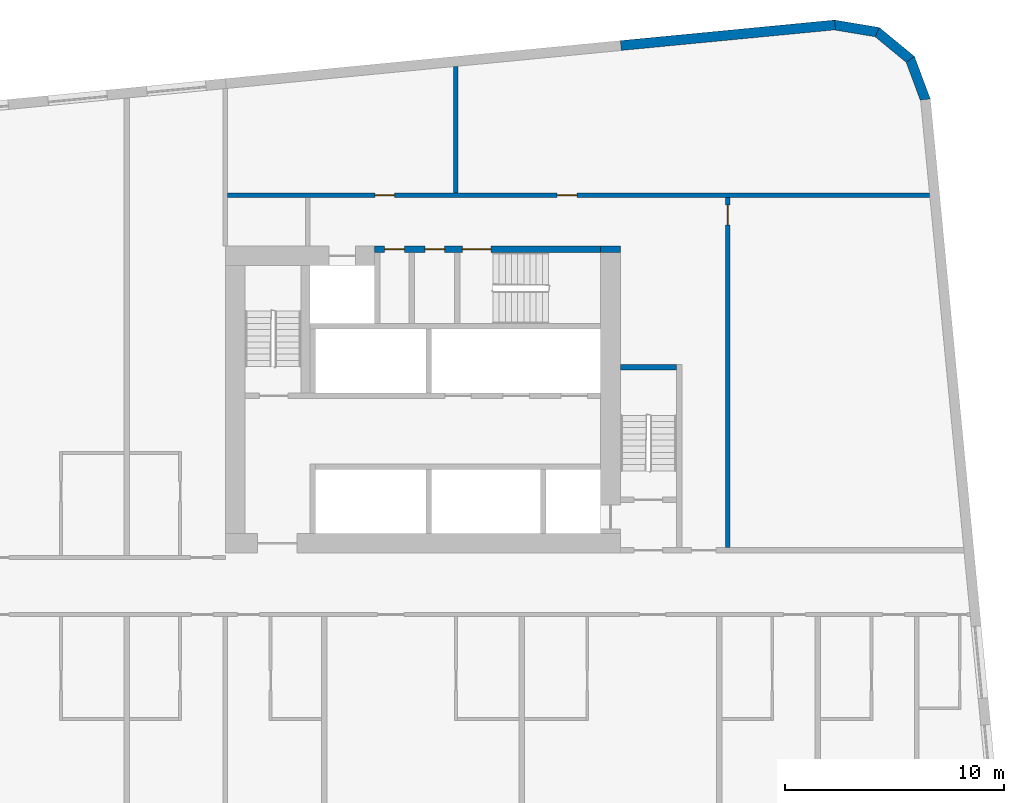
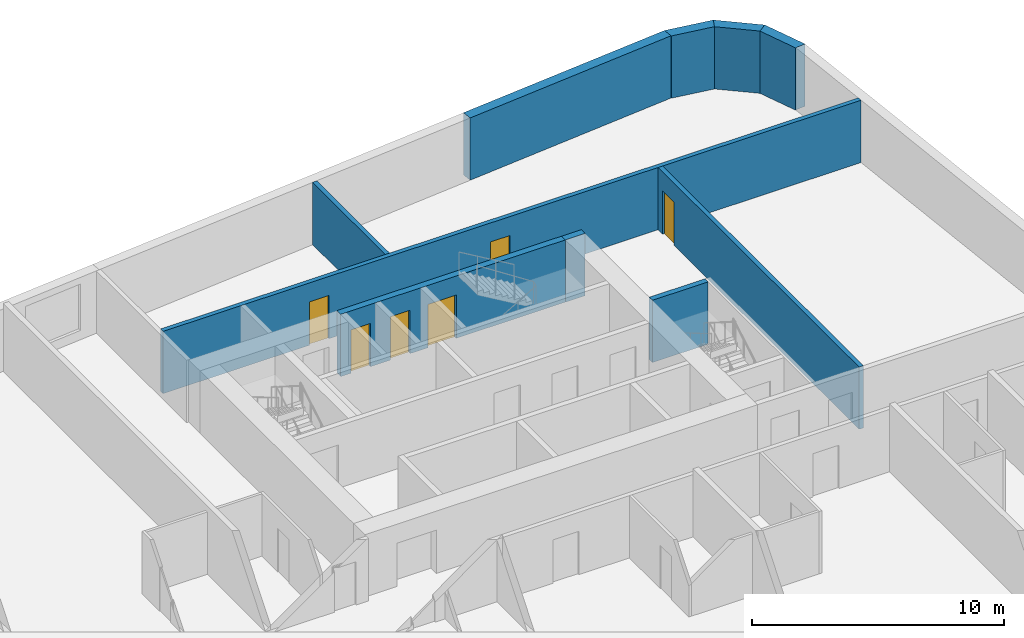
# One storey, part 8 of 12: 10 walls, 6 doors, 6 openings.
"""IFC4 building model written with IfcOpenShell, lengths in metres."""

from ifc_helpers import new_model, si_unit, direction, frame, frame_2d, origin, place, context, subcontext, project, spatial, polyline, rectangle, outline, extrude, material, layer, layer_set, type_object, element, fill, save


model = new_model("IFC4")

# Units and contexts
model_context = context("Model", 3, precision=1e-05, world=origin(), true_north=direction((0.0, 1.0)))
body_context = subcontext(model_context, "Body", "Model", "MODEL_VIEW")
ifc_project = project(units=[si_unit("LENGTHUNIT", "METRE"), si_unit("AREAUNIT", "SQUARE_METRE"), si_unit("VOLUMEUNIT", "CUBIC_METRE"), si_unit("PLANEANGLEUNIT", "RADIAN"), si_unit("MASSUNIT", "GRAM", prefix="KILO")], contexts=[model_context])

# Site, building, storey
site_placement = place(None, origin())
site = spatial("IfcSite", under=ifc_project, at=site_placement, CompositionType="ELEMENT")
building_placement = place(site_placement, origin())
building = spatial("IfcBuilding", under=site, at=building_placement, Name="Kajstack Hotel Tower", CompositionType="ELEMENT")
storey_placement = place(building_placement, frame((0.0, 0.0, 117.39990234375)))
storey = spatial("IfcBuildingStorey", under=building, at=storey_placement, Name="L25", CompositionType="ELEMENT", Elevation=117.39990234375)

# Walls
ifc_material_1 = material(Name="Concrete C60/75", Category="concrete")
ifc_layer_1 = layer(ifc_material_1, 0.89990234375)
ifc_layer_set_1 = layer_set([ifc_layer_1], Name="Core wall 900")
wall_type_1 = type_object("IfcWallType", Name="Core wall 900", PredefinedType="SHEAR", material=ifc_layer_set_1)
wall_1_placement = place(storey_placement, frame((30.60009765625, 15.35009765625, 0.0), z_axis=(0.0, 0.0, 1.0), x_axis=(1.0, 0.0, 0.0)))
element("IfcWall", 1, at=wall_1_placement, inside=storey, type_object=wall_type_1, Name="Core wall E RSW", PredefinedType="SHEAR", context=body_context, shape_type="SweptSolid", body=[
    extrude(rectangle(XDim=0.89990234375, YDim=0.300048828125, at=frame_2d((0.449951171875, 0.0))), origin(), (0.0, 0.0, 1.0), 3.02001953125),
])
ifc_material_2 = material(Name="Terracotta-faced brick masonry", Category="masonry")
ifc_layer_2 = layer(ifc_material_2, 0.449951171875)
ifc_layer_set_2 = layer_set([ifc_layer_2], Name="EW-TERRA")
wall_type_2 = type_object("IfcWallType", Name="EW-TERRA", PredefinedType="SOLIDWALL", material=ifc_layer_set_2)
wall_2_placement = place(storey_placement, frame((45.41162109375, 22.10986328125, 0.0), z_axis=(0.0, 0.0, 1.0), x_axis=(-0.350192909346, 0.936677599948, 0.0)))
element("IfcWall", 2, at=wall_2_placement, inside=storey, type_object=wall_type_2, Name="E-wall-L25-09-00", PredefinedType="SOLIDWALL", context=body_context, shape_type="SweptSolid", body=[
    extrude(outline(polyline([(0.0, -0.22509765625), (2.070556640625, -0.22509765625), (1.949951171875, 0.224853515625), (0.12060546875, 0.224853515625), (0.0, -0.22509765625)])), origin(), (0.0, 0.0, 1.0), 3.02001953125),
])
wall_3_placement = place(storey_placement, frame((44.754150390625, 23.95458984375, 0.0), z_axis=(0.0, 0.0, 1.0), x_axis=(-0.771651049663, 0.636046112757, 0.0)))
element("IfcWall", 3, at=wall_3_placement, inside=storey, type_object=wall_type_2, Name="E-wall-L25-10-00", PredefinedType="SOLIDWALL", context=body_context, shape_type="SweptSolid", body=[
    extrude(outline(polyline([(0.0, -0.22509765625), (2.070556640625, -0.22509765625), (1.949951171875, 0.224853515625), (0.12060546875, 0.22509765625), (0.0, -0.22509765625)])), origin(), (0.0, 0.0, 1.0), 3.02001953125),
])
wall_4_placement = place(storey_placement, frame((43.262451171875, 25.223388671875, 0.0), z_axis=(0.0, 0.0, 1.0), x_axis=(-0.986298144721, 0.164972633245, 0.0)))
element("IfcWall", 4, at=wall_4_placement, inside=storey, type_object=wall_type_2, Name="E-wall-L25-11-00", PredefinedType="SOLIDWALL", context=body_context, shape_type="SweptSolid", body=[
    extrude(outline(polyline([(0.0, -0.224853515625), (2.070556640625, -0.22509765625), (1.949951171875, 0.22509765625), (0.12060546875, 0.22509765625), (0.0, -0.224853515625)])), origin(), (0.0, 0.0, 1.0), 3.02001953125),
])
wall_5_placement = place(storey_placement, frame((41.279052734375, 25.56298828125, 0.0), z_axis=(0.0, 0.0, 1.0), x_axis=(-0.995394735506, -0.095860943703, 0.0)))
element("IfcWall", 5, at=wall_5_placement, inside=storey, type_object=wall_type_2, Name="E-wall-L25-12-00", PredefinedType="SOLIDWALL", context=body_context, shape_type="SweptSolid", body=[
    extrude(rectangle(XDim=9.802734375, YDim=0.449951171875, at=frame_2d((4.9013671875, 0.0))), origin(), (0.0, 0.0, 1.0), 3.02001953125),
])

# Wall, opening, door
ifc_material_3 = material(Name="Gypsum board on steel studs, mineral wool", Category="steel")
ifc_layer_3 = layer(ifc_material_3, 0.199951171875)
ifc_layer_set_3 = layer_set([ifc_layer_3], Name="Service partition 200")
wall_type_3 = type_object("IfcWallType", Name="Service partition 200", PredefinedType="PARTITIONING", material=ifc_layer_set_3)
wall_6_placement = place(storey_placement, frame((36.39990234375, 1.75, 0.0), z_axis=(0.0, 0.0, 1.0), x_axis=(0.0, 1.0, 0.0)))
wall_6 = element("IfcWall", 6, at=wall_6_placement, inside=storey, type_object=wall_type_3, Name="Partition E WRE", PredefinedType="PARTITIONING", context=body_context, shape_type="SweptSolid", body=[
    extrude(rectangle(XDim=15.949951171875, YDim=0.199951171875, at=frame_2d((7.97509765625, 0.0))), origin(), (0.0, 0.0, 1.0), 3.02001953125),
])
opening_1_placement = place(wall_6_placement, frame((14.699951171875, 0.0, 0.0)))
opening_1 = element("IfcOpeningElement", 7, at=opening_1_placement, cuts=wall_6, Name="Opening 25E16", PredefinedType="OPENING", context=body_context, shape_type="SweptSolid", body=[
    extrude(rectangle(XDim=0.89990234375, YDim=2.10009765625, at=frame_2d((0.449951171875, 1.050048828125))), frame((0.0, 0.10986328125, 0.0), z_axis=(0.0, -1.0, 0.0), x_axis=(1.0, 0.0, 0.0)), (0.0, 0.0, 1.0), 0.219970703125),
])
ifc_material_4 = material(Name="Timber leaf, fire-rated", Category="wood")
door_type_1 = type_object("IfcDoorType", Name="Service door 900", OperationType="SINGLE_SWING_LEFT", PredefinedType="DOOR", material=ifc_material_4)
door_1_placement = place(opening_1_placement, origin())
door_1 = element("IfcDoor", 8, at=door_1_placement, inside=storey, type_object=door_type_1, Name="Door 25E16", OperationType="SINGLE_SWING_RIGHT", OverallHeight=2.10009765625, OverallWidth=0.89990234375, PredefinedType="DOOR", context=body_context, shape_type="SweptSolid", body=[
    extrude(rectangle(XDim=0.89990234375, YDim=2.10009765625, at=frame_2d((0.449951171875, 1.050048828125))), frame((0.0, 0.02490234375, 0.0), z_axis=(0.0, -1.0, 0.0), x_axis=(1.0, 0.0, 0.0)), (0.0, 0.0, 1.0), 0.050048828125),
])
fill(opening_1, door_1)

# Wall, openings, doors
wall_7_placement = place(storey_placement, frame((13.60009765625, 17.800048828125, 0.0), z_axis=(0.0, 0.0, 1.0), x_axis=(1.0, 0.0, 0.0)))
wall_7 = element("IfcWall", 9, at=wall_7_placement, inside=storey, type_object=wall_type_3, Name="Partition E SLN", PredefinedType="PARTITIONING", context=body_context, shape_type="SweptSolid", body=[
    extrude(rectangle(XDim=31.992919921875, YDim=0.199951171875, at=frame_2d((15.99658203125, 0.0))), origin(), (0.0, 0.0, 1.0), 3.02001953125),
])
opening_2_placement = place(wall_7_placement, frame((15.012451171875, 0.0, 0.0)))
opening_2 = element("IfcOpeningElement", 10, at=opening_2_placement, cuts=wall_7, Name="Opening 25E14", PredefinedType="OPENING", context=body_context, shape_type="SweptSolid", body=[
    extrude(rectangle(XDim=0.89990234375, YDim=2.10009765625, at=frame_2d((0.449951171875, 1.050048828125))), frame((0.0, 0.10986328125, 0.0), z_axis=(0.0, -1.0, 0.0), x_axis=(1.0, 0.0, 0.0)), (0.0, 0.0, 1.0), 0.219970703125),
])
opening_3_placement = place(wall_7_placement, frame((6.71240234375, 0.0, 0.0)))
opening_3 = element("IfcOpeningElement", 11, at=opening_3_placement, cuts=wall_7, Name="Opening 25E15", PredefinedType="OPENING", context=body_context, shape_type="SweptSolid", body=[
    extrude(rectangle(XDim=0.89990234375, YDim=2.10009765625, at=frame_2d((0.449951171875, 1.050048828125))), frame((0.0, 0.10986328125, 0.0), z_axis=(0.0, -1.0, 0.0), x_axis=(1.0, 0.0, 0.0)), (0.0, 0.0, 1.0), 0.219970703125),
])
door_2_placement = place(opening_2_placement, origin())
door_2 = element("IfcDoor", 12, at=door_2_placement, inside=storey, type_object=door_type_1, Name="Door 25E14", OperationType="SINGLE_SWING_LEFT", OverallHeight=2.10009765625, OverallWidth=0.89990234375, PredefinedType="DOOR", context=body_context, shape_type="SweptSolid", body=[
    extrude(rectangle(XDim=0.89990234375, YDim=2.10009765625, at=frame_2d((0.449951171875, 1.050048828125))), frame((0.0, 0.02490234375, 0.0), z_axis=(0.0, -1.0, 0.0), x_axis=(1.0, 0.0, 0.0)), (0.0, 0.0, 1.0), 0.050048828125),
])
fill(opening_2, door_2)
door_3_placement = place(opening_3_placement, origin())
door_3 = element("IfcDoor", 13, at=door_3_placement, inside=storey, type_object=door_type_1, Name="Door 25E15", OperationType="SINGLE_SWING_LEFT", OverallHeight=2.10009765625, OverallWidth=0.89990234375, PredefinedType="DOOR", context=body_context, shape_type="SweptSolid", body=[
    extrude(rectangle(XDim=0.89990234375, YDim=2.10009765625, at=frame_2d((0.449951171875, 1.050048828125))), frame((0.0, 0.02490234375, 0.0), z_axis=(0.0, -1.0, 0.0), x_axis=(1.0, 0.0, 0.0)), (0.0, 0.0, 1.0), 0.050048828125),
])
fill(opening_3, door_3)

# Wall
wall_8_placement = place(storey_placement, frame((24.0, 17.89990234375, 0.0), z_axis=(0.0, 0.0, 1.0), x_axis=(0.0, 1.0, 0.0)))
element("IfcWall", 14, at=wall_8_placement, inside=storey, type_object=wall_type_3, Name="Partition E SLP0", PredefinedType="PARTITIONING", context=body_context, shape_type="SweptSolid", body=[
    extrude(rectangle(XDim=5.774169921875, YDim=0.199951171875, at=frame_2d((2.88720703125, 0.0))), origin(), (0.0, 0.0, 1.0), 3.02001953125),
])

# Wall, openings, doors
ifc_material_5 = material(Name="Concrete C50/60", Category="concrete")
ifc_layer_4 = layer(ifc_material_5, 0.25)
ifc_layer_set_4 = layer_set([ifc_layer_4], Name="Shaft wall 250")
wall_type_4 = type_object("IfcWallType", Name="Shaft wall 250", PredefinedType="SHEAR", material=ifc_layer_set_4)
wall_9_placement = place(storey_placement, frame((20.300048828125, 15.35009765625, 0.0), z_axis=(0.0, 0.0, 1.0), x_axis=(1.0, 0.0, 0.0)))
wall_9 = element("IfcWall", 15, at=wall_9_placement, inside=storey, type_object=wall_type_4, Name="Core wall E RSS", PredefinedType="SHEAR", context=body_context, shape_type="SweptSolid", body=[
    extrude(rectangle(XDim=10.300048828125, YDim=0.300048828125, at=frame_2d((5.14990234375, 0.0))), origin(), (0.0, 0.0, 1.0), 3.02001953125),
])
opening_4_placement = place(wall_9_placement, frame((4.0, 0.0, 0.0)))
opening_4 = element("IfcOpeningElement", 16, at=opening_4_placement, cuts=wall_9, Name="Opening 25E11", PredefinedType="OPENING", context=body_context, shape_type="SweptSolid", body=[
    extrude(rectangle(XDim=1.300048828125, YDim=2.10009765625, at=frame_2d((0.64990234375, 1.050048828125))), frame((0.0, 0.159912109375, 0.0), z_axis=(0.0, -1.0, 0.0), x_axis=(1.0, 0.0, 0.0)), (0.0, 0.0, 1.0), 0.320068359375),
])
opening_5_placement = place(wall_9_placement, frame((2.28759765625, 0.0, 0.0)))
opening_5 = element("IfcOpeningElement", 17, at=opening_5_placement, cuts=wall_9, Name="Opening 25E12", PredefinedType="OPENING", context=body_context, shape_type="SweptSolid", body=[
    extrude(rectangle(XDim=0.89990234375, YDim=2.10009765625, at=frame_2d((0.449951171875, 1.050048828125))), frame((0.0, 0.159912109375, 0.0), z_axis=(0.0, -1.0, 0.0), x_axis=(1.0, 0.0, 0.0)), (0.0, 0.0, 1.0), 0.320068359375),
])
opening_6_placement = place(wall_9_placement, frame((0.46240234375, 0.0, 0.0)))
opening_6 = element("IfcOpeningElement", 18, at=opening_6_placement, cuts=wall_9, Name="Opening 25E13", PredefinedType="OPENING", context=body_context, shape_type="SweptSolid", body=[
    extrude(rectangle(XDim=0.89990234375, YDim=2.10009765625, at=frame_2d((0.449951171875, 1.050048828125))), frame((0.0, 0.159912109375, 0.0), z_axis=(0.0, -1.0, 0.0), x_axis=(1.0, 0.0, 0.0)), (0.0, 0.0, 1.0), 0.320068359375),
])
door_4_placement = place(opening_5_placement, origin())
door_4 = element("IfcDoor", 19, at=door_4_placement, inside=storey, type_object=door_type_1, Name="Door 25E12", OperationType="SINGLE_SWING_RIGHT", OverallHeight=2.10009765625, OverallWidth=0.89990234375, PredefinedType="DOOR", context=body_context, shape_type="SweptSolid", body=[
    extrude(rectangle(XDim=0.89990234375, YDim=2.10009765625, at=frame_2d((0.449951171875, 1.050048828125))), frame((0.0, 0.02490234375, 0.0), z_axis=(0.0, -1.0, 0.0), x_axis=(1.0, 0.0, 0.0)), (0.0, 0.0, 1.0), 0.050048828125),
])
fill(opening_5, door_4)
door_5_placement = place(opening_6_placement, origin())
door_5 = element("IfcDoor", 20, at=door_5_placement, inside=storey, type_object=door_type_1, Name="Door 25E13", OperationType="SINGLE_SWING_RIGHT", OverallHeight=2.10009765625, OverallWidth=0.89990234375, PredefinedType="DOOR", context=body_context, shape_type="SweptSolid", body=[
    extrude(rectangle(XDim=0.89990234375, YDim=2.10009765625, at=frame_2d((0.449951171875, 1.050048828125))), frame((0.0, 0.02490234375, 0.0), z_axis=(0.0, -1.0, 0.0), x_axis=(1.0, 0.0, 0.0)), (0.0, 0.0, 1.0), 0.050048828125),
])
fill(opening_6, door_5)
ifc_material_6 = material(Name="Steel leaf, fire-rated", Category="steel")
door_type_2 = type_object("IfcDoorType", Name="Stair door 1300", OperationType="SINGLE_SWING_LEFT", PredefinedType="DOOR", material=ifc_material_6)
door_6_placement = place(opening_4_placement, origin())
door_6 = element("IfcDoor", 21, at=door_6_placement, inside=storey, type_object=door_type_2, Name="Door 25E11", OperationType="SINGLE_SWING_LEFT", OverallHeight=2.10009765625, OverallWidth=1.300048828125, PredefinedType="DOOR", context=body_context, shape_type="SweptSolid", body=[
    extrude(rectangle(XDim=1.300048828125, YDim=2.10009765625, at=frame_2d((0.64990234375, 1.050048828125))), frame((0.0, 0.02490234375, 0.0), z_axis=(0.0, -1.0, 0.0), x_axis=(1.0, 0.0, 0.0)), (0.0, 0.0, 1.0), 0.050048828125),
])
fill(opening_4, door_6)

# Wall
ifc_material_7 = material(Name="Concrete C40/50", Category="concrete")
ifc_layer_5 = layer(ifc_material_7, 0.25)
ifc_layer_set_5 = layer_set([ifc_layer_5], Name="Stair enclosure wall 250")
wall_type_5 = type_object("IfcWallType", Name="Stair enclosure wall 250", PredefinedType="SHEAR", material=ifc_layer_set_5)
wall_10_placement = place(storey_placement, frame((31.5, 9.97509765625, 0.0), z_axis=(0.0, 0.0, 1.0), x_axis=(1.0, 0.0, 0.0)))
element("IfcWall", 22, at=wall_10_placement, inside=storey, type_object=wall_type_5, Name="Core wall E W1S", PredefinedType="SHEAR", context=body_context, shape_type="SweptSolid", body=[
    extrude(rectangle(XDim=2.550048828125, YDim=0.25, at=frame_2d((1.27490234375, 0.0))), origin(), (0.0, 0.0, 1.0), 3.02001953125),
])

save(model, "model.ifc")
